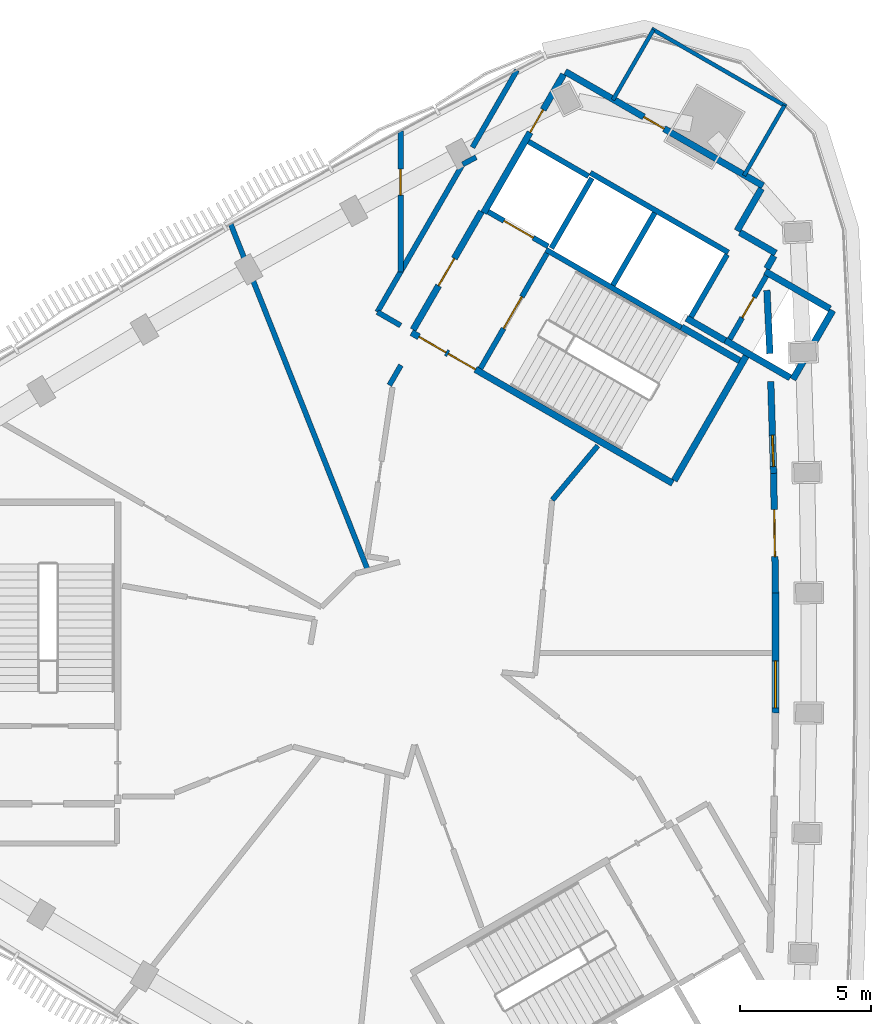
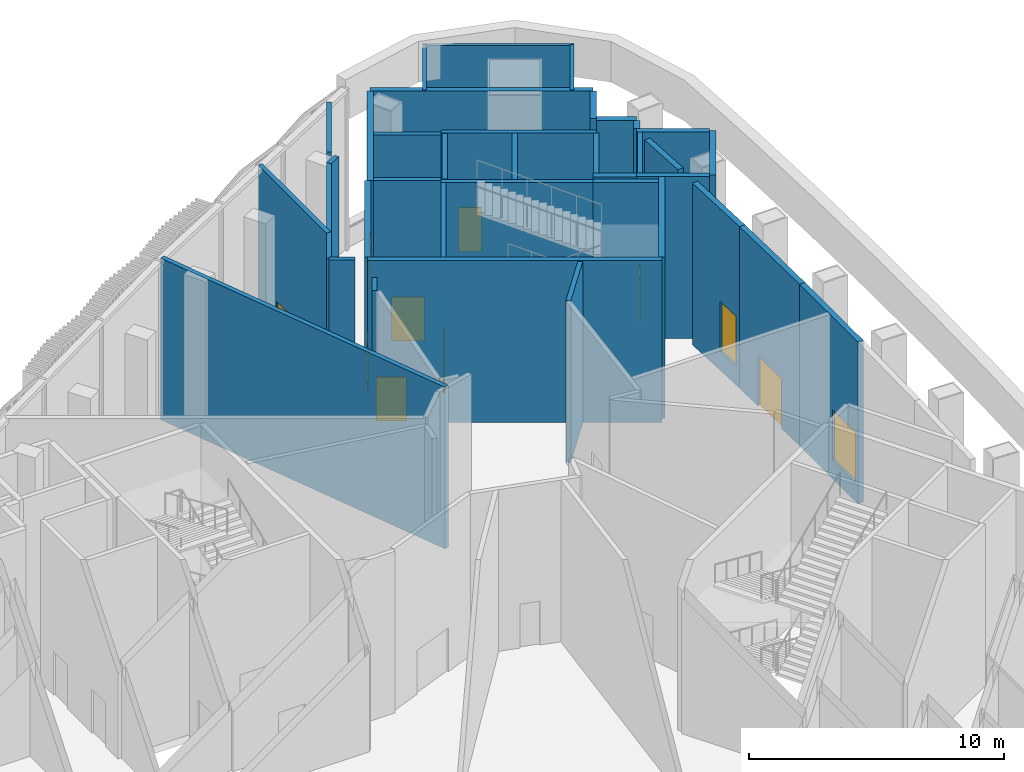
# One storey, part 5 of 11: 37 walls, 10 doors, 2 windows, 12 openings.
"""IFC4 building model written with IfcOpenShell, lengths in metres."""

import ifcopenshell
import ifcopenshell.guid

model = None  # the IFC model being written
_history = None  # IfcOwnerHistory: only IFC2X3 demands one
_inside = {}  # id of a spatial element -> (the spatial element, [elements in it])
_under = {}  # id of a project, library or spatial element -> (it, [spatial elements below it])
_declared = {}  # id of a project -> (the project, [libraries it declares])
_typed = {}  # id of a type object -> (the type object, [elements of that type])
_made_of = {}  # id of a material, layer set ... -> (it, [elements and type objects made of it])


def new_model(schema):
    """Start an empty IFC model of exactly this schema.

    Asked for "IFC4X3", IfcOpenShell would pick the latest addendum, in which some entities
    have other attributes; the version numbers below select the first issue.
    IFC2X3 requires an IfcOwnerHistory on every rooted entity: one is made here for all.
    """
    global model, _history
    if schema == "IFC4X3":
        model = ifcopenshell.file(schema_version=(4, 3, 0, 0))
    else:
        model = ifcopenshell.file(schema=schema)
    _inside.clear()
    _under.clear()
    _declared.clear()
    _typed.clear()
    _made_of.clear()
    _history = None
    if model.schema == "IFC2X3":
        org = make("IfcOrganization", Name="unknown")
        user = make(
            "IfcPersonAndOrganization",
            ThePerson=make("IfcPerson", FamilyName="unknown"),
            TheOrganization=org,
        )
        app = make(
            "IfcApplication",
            ApplicationDeveloper=org,
            Version="unknown",
            ApplicationFullName="unknown",
            ApplicationIdentifier="unknown",
        )
        _history = make(
            "IfcOwnerHistory",
            OwningUser=user,
            OwningApplication=app,
            ChangeAction="ADDED",
            CreationDate=0,
        )
    return model


def make(cls, **values):
    """One entity of the class cls with the attributes given. An attribute that is None is left unset."""
    return model.create_entity(
        cls, **{name: value for name, value in values.items() if value is not None}
    )


def rooted(cls, **values):
    """An entity with a GlobalId (a new one), such as an element, a storey or a relation."""
    return make(cls, GlobalId=ifcopenshell.guid.new(), OwnerHistory=_history, **values)


def si_unit(unit_type, name, prefix=None):
    """IfcSIUnit, for example si_unit("LENGTHUNIT", "METRE", prefix="MILLI")."""
    return make("IfcSIUnit", UnitType=unit_type, Prefix=prefix, Name=name)


def assignment(units):
    """IfcUnitAssignment: the units of a project."""
    return None if units is None else make("IfcUnitAssignment", Units=units)


def point(xyz):
    """IfcCartesianPoint."""
    return None if xyz is None else make("IfcCartesianPoint", Coordinates=xyz)


def direction(xyz):
    """IfcDirection."""
    return None if xyz is None else make("IfcDirection", DirectionRatios=xyz)


def frame(location, z_axis=None, x_axis=None):
    """IfcAxis2Placement3D, a coordinate frame: its origin and axes. An axis left out is left unset."""
    return make(
        "IfcAxis2Placement3D",
        Location=point(location),
        Axis=direction(z_axis),
        RefDirection=direction(x_axis),
    )


def frame_2d(location, x_axis=None):
    """IfcAxis2Placement2D, a coordinate frame in the plane: its origin and x axis."""
    return make(
        "IfcAxis2Placement2D", Location=point(location), RefDirection=direction(x_axis)
    )


def origin():
    """The frame at (0, 0, 0) with its axes left unset."""
    return frame((0.0, 0.0, 0.0))


def place(relative_to, where):
    """IfcLocalPlacement: puts the frame where relative to a parent placement (None: the world)."""
    return make(
        "IfcLocalPlacement", PlacementRelTo=relative_to, RelativePlacement=where
    )


def context(
    kind, dimensions, precision=None, world=None, true_north=None, identifier=None
):
    """IfcGeometricRepresentationContext, for example the 3D "Model" context."""
    return make(
        "IfcGeometricRepresentationContext",
        ContextIdentifier=identifier,
        ContextType=kind,
        CoordinateSpaceDimension=dimensions,
        Precision=precision,
        WorldCoordinateSystem=world,
        TrueNorth=true_north,
    )


def subcontext(parent, identifier, kind, view, scale=None):
    """IfcGeometricRepresentationSubContext, for example "Body" below "Model"."""
    return make(
        "IfcGeometricRepresentationSubContext",
        ContextIdentifier=identifier,
        ContextType=kind,
        ParentContext=parent,
        TargetScale=scale,
        TargetView=view,
    )


def project(units=None, contexts=None):
    """IfcProject with its units and contexts."""
    return rooted(
        "IfcProject",
        Name="project",
        RepresentationContexts=contexts,
        UnitsInContext=assignment(units),
    )


def spatial(cls, under=None, at=None, **own):
    """A site, building, storey or space (cls), placed at a placement, below another one or the project."""
    s = rooted(cls, ObjectPlacement=at, **own)
    if under is not None:
        _under.setdefault(under.id(), (under, []))[1].append(s)
    return s


def profile(cls, at=None, kind="AREA", **sizes):
    """A parametric profile (cls). Its sizes go by their IFC names, for example OverallWidth=200.0."""
    return make(cls, ProfileType=kind, Position=at, **sizes)


def rectangle(**sizes):
    """IfcRectangleProfileDef."""
    return profile("IfcRectangleProfileDef", **sizes)


def extrude(swept, where, along, depth):
    """IfcExtrudedAreaSolid: the profile swept, set in the frame where, extruded along a direction by depth."""
    return make(
        "IfcExtrudedAreaSolid",
        SweptArea=swept,
        Position=where,
        ExtrudedDirection=direction(along),
        Depth=depth,
    )


def shape(context_of_items, identifier, shape_type, items):
    """IfcShapeRepresentation: the items that make up one representation, for example the "Body"."""
    return make(
        "IfcShapeRepresentation",
        ContextOfItems=context_of_items,
        RepresentationIdentifier=identifier,
        RepresentationType=shape_type,
        Items=items,
    )


def material(Name=None, Category=None):
    """IfcMaterial."""
    return make("IfcMaterial", Name=Name, Category=Category)


def layer(
    of_material, thickness, ventilated=None, Name=None, Category=None, Priority=None
):
    """IfcMaterialLayer: one layer of a wall or slab, of a material (None: an air gap)."""
    return make(
        "IfcMaterialLayer",
        Material=of_material,
        LayerThickness=thickness,
        IsVentilated=ventilated,
        Name=Name,
        Category=Category,
        Priority=Priority,
    )


def layer_set(layers, Name=None):
    """IfcMaterialLayerSet."""
    return make("IfcMaterialLayerSet", MaterialLayers=layers, LayerSetName=Name)


def made_of(thing, what):
    """Note that an element or type object is made of a material, layer set ...; save() writes the relation."""
    if what is not None:
        _made_of.setdefault(what.id(), (what, []))[1].append(thing)
    return thing


def type_object(cls, material=None, **own):
    """A type object (cls), such as IfcWallType, which elements share."""
    return made_of(rooted(cls, **own), material)


def element(
    cls,
    number,
    at=None,
    inside=None,
    cuts=None,
    type_object=None,
    material=None,
    context=None,
    identifier="Body",
    shape_type=None,
    held_by="IfcProductDefinitionShape",
    body=None,
    shapes=None,
    **own,
):
    """One element of the class cls, such as IfcWall. Its Tag is "e" and its number.

    at: its placement. inside: the storey or other place that contains it. cuts: it is an
    opening in that element (IfcRelVoidsElement). A single representation is given by context,
    identifier, shape_type and body (its items); several are given by shapes. held_by: the class
    of the entity that holds the representations. save() writes the other relations.
    """
    e = rooted(cls, Tag="e%d" % number, ObjectPlacement=at, **own)
    if body is not None:
        shapes = [shape(context, identifier, shape_type, body)]
    if shapes is not None:
        e.Representation = make(held_by, Representations=shapes)
    if inside is not None:
        _inside.setdefault(inside.id(), (inside, []))[1].append(e)
    if cuts is not None:
        rooted(
            "IfcRelVoidsElement", RelatingBuildingElement=cuts, RelatedOpeningElement=e
        )
    if type_object is not None:
        _typed.setdefault(type_object.id(), (type_object, []))[1].append(e)
    return made_of(e, material)


def fill(opening, filler):
    """IfcRelFillsElement: the door or window that sits in an opening."""
    return rooted(
        "IfcRelFillsElement",
        RelatingOpeningElement=opening,
        RelatedBuildingElement=filler,
    )


def aggregate(whole, parts):
    """IfcRelAggregates: a whole, such as a stair, and the parts it consists of."""
    return rooted("IfcRelAggregates", RelatingObject=whole, RelatedObjects=parts)


def save(model, path):
    """Write the relations noted so far, then the file.

    IfcRelAggregates (storeys below a building ...), IfcRelContainedInSpatialStructure (elements
    in a storey), IfcRelDefinesByType, IfcRelAssociatesMaterial and IfcRelDeclares: one each for
    every whole, place, type object, material and project.
    """
    for whole, parts in _under.values():
        aggregate(whole, parts)
    for where, things in _inside.values():
        rooted(
            "IfcRelContainedInSpatialStructure",
            RelatedElements=things,
            RelatingStructure=where,
        )
    for kind, things in _typed.values():
        rooted("IfcRelDefinesByType", RelatedObjects=things, RelatingType=kind)
    for what, things in _made_of.values():
        rooted("IfcRelAssociatesMaterial", RelatedObjects=things, RelatingMaterial=what)
    for by, libraries in _declared.values():
        rooted("IfcRelDeclares", RelatingContext=by, RelatedDefinitions=libraries)
    model.write(path)


model = new_model("IFC4")

# Units and contexts
model_context = context("Model", 3, precision=1e-05, world=origin(), true_north=direction((0.0, 1.0)))
body_context = subcontext(model_context, "Body", "Model", "MODEL_VIEW")
ifc_project = project(units=[si_unit("LENGTHUNIT", "METRE"), si_unit("AREAUNIT", "SQUARE_METRE"), si_unit("VOLUMEUNIT", "CUBIC_METRE"), si_unit("PLANEANGLEUNIT", "RADIAN"), si_unit("MASSUNIT", "GRAM", prefix="KILO")], contexts=[model_context])

# Site, building, storey
site_placement = place(None, origin())
site = spatial("IfcSite", under=ifc_project, at=site_placement, CompositionType="ELEMENT")
building_placement = place(site_placement, origin())
building = spatial("IfcBuilding", under=site, at=building_placement, Name="Tamra Quay Hotel Tower", CompositionType="ELEMENT")
storey_placement = place(building_placement, frame((0.0, 0.0, 312.60009765625)))
storey = spatial("IfcBuildingStorey", under=building, at=storey_placement, Name="L78", CompositionType="ELEMENT", Elevation=312.60009765625)

# Walls
ifc_material_1 = material(Name="Concrete M70", Category="concrete")
ifc_layer_1 = layer(ifc_material_1, 0.199951171875)
ifc_layer_set_1 = layer_set([ifc_layer_1], Name="Concrete M70 core wall 200")
wall_type_1 = type_object("IfcWallType", Name="Concrete M70 core wall 200", PredefinedType="SHEAR", material=ifc_layer_set_1)
wall_1_placement = place(storey_placement, frame((12.552490234375, 15.341552734375, 0.0), z_axis=(0.0, 0.0, 1.0), x_axis=(-0.866030299012, 0.499991521122, 0.0)))
element("IfcWall", 1, at=wall_1_placement, inside=storey, type_object=wall_type_1, Name="CW2", PredefinedType="SHEAR", context=body_context, shape_type="SweptSolid", body=[
    extrude(rectangle(XDim=6.10009765625, YDim=0.199951171875, at=frame_2d((3.050048828125, 0.0))), origin(), (0.0, 0.0, 1.0), 7.75),
])
wall_2_placement = place(storey_placement, frame((10.7431640625, 12.4599609375, 0.0), z_axis=(0.0, 0.0, 1.0), x_axis=(-0.866018848283, 0.500011354289, 0.0)))
element("IfcWall", 2, at=wall_2_placement, inside=storey, type_object=wall_type_1, Name="CW2", PredefinedType="SHEAR", context=body_context, shape_type="SweptSolid", body=[
    extrude(rectangle(XDim=5.973876953125, YDim=0.199951171875, at=frame_2d((2.98681640625, 0.0))), origin(), (0.0, 0.0, 1.0), 7.75),
])

# Wall, opening, door
wall_3_placement = place(storey_placement, frame((3.056640625, 10.89453125, 0.0), z_axis=(0.0, 0.0, 1.0), x_axis=(0.500027839223, 0.866009330205, 0.0)))
wall_3 = element("IfcWall", 3, at=wall_3_placement, inside=storey, type_object=wall_type_1, Name="CW2", PredefinedType="SHEAR", context=body_context, shape_type="SweptSolid", body=[
    extrude(rectangle(XDim=5.097900390625, YDim=0.199951171875, at=frame_2d((2.548828125, 0.0))), origin(), (0.0, 0.0, 1.0), 7.75),
])
opening_1_placement = place(wall_3_placement, frame((1.77392578125, 0.0, 0.0)))
opening_1 = element("IfcOpeningElement", 4, at=opening_1_placement, cuts=wall_3, Name="Opening FD2", PredefinedType="OPENING", context=body_context, shape_type="SweptSolid", body=[
    extrude(rectangle(XDim=1.39990234375, YDim=2.10009765625, at=frame_2d((0.699951171875, 1.050048828125))), frame((0.0, 0.10986328125, 0.0), z_axis=(0.0, -1.0, 0.0), x_axis=(1.0, 0.0, 0.0)), (0.0, 0.0, 1.0), 0.219970703125),
])
ifc_material_2 = material(Name="Core door FD2 1400x2100 LH")
door_type_1 = type_object("IfcDoorType", Name="Core door FD2 1400x2100 LH", OperationType="NOTDEFINED", PredefinedType="DOOR", material=ifc_material_2)
door_1_placement = place(opening_1_placement, origin())
door_1 = element("IfcDoor", 5, at=door_1_placement, inside=storey, type_object=door_type_1, Name="FD2", OperationType="SINGLE_SWING_LEFT", OverallHeight=2.10009765625, OverallWidth=1.39990234375, PredefinedType="DOOR", context=body_context, shape_type="SweptSolid", body=[
    extrude(rectangle(XDim=1.39990234375, YDim=2.10009765625, at=frame_2d((0.699951171875, 1.050048828125))), frame((0.0, 0.02490234375, 0.0), z_axis=(0.0, -1.0, 0.0), x_axis=(1.0, 0.0, 0.0)), (0.0, 0.0, 1.0), 0.050048828125),
])
fill(opening_1, door_1)

# Wall
wall_4_placement = place(storey_placement, frame((8.131591796875, 14.08447265625, 0.0), z_axis=(0.0, 0.0, 1.0), x_axis=(0.500030834389, 0.86600760081, 0.0)))
element("IfcWall", 6, at=wall_4_placement, inside=storey, type_object=wall_type_1, Name="CW2", PredefinedType="SHEAR", context=body_context, shape_type="SweptSolid", body=[
    extrude(rectangle(XDim=3.197998046875, YDim=0.199951171875, at=frame_2d((1.59912109375, 0.0))), origin(), (0.0, 0.0, 1.0), 7.75),
])

# Wall, opening, door
wall_5_placement = place(storey_placement, frame((14.0078125, 14.442138671875, 0.0), z_axis=(0.0, 0.0, 1.0), x_axis=(-0.499986818241, -0.866033014143, 0.0)))
wall_5 = element("IfcWall", 7, at=wall_5_placement, inside=storey, type_object=wall_type_1, Name="CW2", PredefinedType="SHEAR", context=body_context, shape_type="SweptSolid", body=[
    extrude(rectangle(XDim=2.7978515625, YDim=0.199951171875, at=frame_2d((1.39892578125, 0.0))), origin(), (0.0, 0.0, 1.0), 7.75),
])
opening_2_placement = place(wall_5_placement, frame((0.948974609375, 0.0, 0.0)))
opening_2 = element("IfcOpeningElement", 8, at=opening_2_placement, cuts=wall_5, Name="Opening D1", PredefinedType="OPENING", context=body_context, shape_type="SweptSolid", body=[
    extrude(rectangle(XDim=0.89990234375, YDim=2.10009765625, at=frame_2d((0.449951171875, 1.050048828125))), frame((0.0, 0.10986328125, 0.0), z_axis=(0.0, -1.0, 0.0), x_axis=(1.0, 0.0, 0.0)), (0.0, 0.0, 1.0), 0.219970703125),
])
ifc_material_3 = material(Name="Core door D1 900x2100 RH")
door_type_2 = type_object("IfcDoorType", Name="Core door D1 900x2100 RH", OperationType="NOTDEFINED", PredefinedType="DOOR", material=ifc_material_3)
door_2_placement = place(opening_2_placement, origin())
door_2 = element("IfcDoor", 9, at=door_2_placement, inside=storey, type_object=door_type_2, Name="D1", OperationType="SINGLE_SWING_RIGHT", OverallHeight=2.10009765625, OverallWidth=0.89990234375, PredefinedType="DOOR", context=body_context, shape_type="SweptSolid", body=[
    extrude(rectangle(XDim=0.89990234375, YDim=2.10009765625, at=frame_2d((0.449951171875, 1.050048828125))), frame((0.0, 0.02490234375, 0.0), z_axis=(0.0, -1.0, 0.0), x_axis=(1.0, 0.0, 0.0)), (0.0, 0.0, 1.0), 0.050048828125),
])
fill(opening_2, door_2)

# Walls
wall_6_placement = place(storey_placement, frame((12.50244140625, 15.2548828125, 0.0), z_axis=(0.0, 0.0, 1.0), x_axis=(-0.499965018551, -0.866045599391, 0.0)))
element("IfcWall", 10, at=wall_6_placement, inside=storey, type_object=wall_type_1, Name="CW2", PredefinedType="SHEAR", context=body_context, shape_type="SweptSolid", body=[
    extrude(rectangle(XDim=2.759033203125, YDim=0.199951171875, at=frame_2d((1.37939453125, 0.0))), origin(), (0.0, 0.0, 1.0), 7.75),
])
wall_7_placement = place(storey_placement, frame((7.324462890625, 18.1865234375, 0.0), z_axis=(0.0, 0.0, 1.0), x_axis=(-0.499967891604, -0.866043940782, 0.0)))
element("IfcWall", 11, at=wall_7_placement, inside=storey, type_object=wall_type_1, Name="CW2", PredefinedType="SHEAR", context=body_context, shape_type="SweptSolid", body=[
    extrude(rectangle(XDim=3.099853515625, YDim=0.199951171875, at=frame_2d((1.5498046875, 0.0))), origin(), (0.0, 0.0, 1.0), 7.75),
])

# Wall, opening, door
wall_8_placement = place(storey_placement, frame((5.646240234375, 15.575927734375, 0.0), z_axis=(0.0, 0.0, 1.0), x_axis=(-0.866018407898, 0.500012117035, 0.0)))
wall_8 = element("IfcWall", 12, at=wall_8_placement, inside=storey, type_object=wall_type_1, Name="CW2", PredefinedType="SHEAR", context=body_context, shape_type="SweptSolid", body=[
    extrude(rectangle(XDim=2.65087890625, YDim=0.199951171875, at=frame_2d((1.325439453125, 0.0))), origin(), (0.0, 0.0, 1.0), 7.75),
])
opening_3_placement = place(wall_8_placement, frame((0.65185546875, 0.0, 0.0)))
opening_3 = element("IfcOpeningElement", 13, at=opening_3_placement, cuts=wall_8, Name="Opening LD", PredefinedType="OPENING", context=body_context, shape_type="SweptSolid", body=[
    extrude(rectangle(XDim=1.300048828125, YDim=2.10009765625, at=frame_2d((0.64990234375, 1.050048828125))), frame((0.0, 0.10986328125, 0.0), z_axis=(0.0, -1.0, 0.0), x_axis=(1.0, 0.0, 0.0)), (0.0, 0.0, 1.0), 0.219970703125),
])
ifc_material_4 = material(Name="Landing door LD 1300 sliding to right")
door_type_3 = type_object("IfcDoorType", Name="Landing door LD 1300 sliding to right", OperationType="NOTDEFINED", PredefinedType="DOOR", material=ifc_material_4)
door_3_placement = place(opening_3_placement, origin())
door_3 = element("IfcDoor", 14, at=door_3_placement, inside=storey, type_object=door_type_3, Name="LD", OperationType="SLIDING_TO_RIGHT", OverallHeight=2.10009765625, OverallWidth=1.300048828125, PredefinedType="DOOR", context=body_context, shape_type="SweptSolid", body=[
    extrude(rectangle(XDim=1.300048828125, YDim=2.10009765625, at=frame_2d((0.64990234375, 1.050048828125))), frame((0.0, 0.02490234375, 0.0), z_axis=(0.0, -1.0, 0.0), x_axis=(1.0, 0.0, 0.0)), (0.0, 0.0, 1.0), 0.050048828125),
])
fill(opening_3, door_3)

# Wall
wall_9_placement = place(storey_placement, frame((7.1962890625, 18.260498046875, 0.0), z_axis=(0.0, 0.0, 1.0), x_axis=(-0.866018407898, 0.500012117035, 0.0)))
element("IfcWall", 15, at=wall_9_placement, inside=storey, type_object=wall_type_1, Name="CW2", PredefinedType="SHEAR", context=body_context, shape_type="SweptSolid", body=[
    extrude(rectangle(XDim=2.65087890625, YDim=0.199951171875, at=frame_2d((1.325439453125, 0.0))), origin(), (0.0, 0.0, 1.0), 7.75),
])

# Wall, openings, doors
ifc_layer_2 = layer(ifc_material_1, 0.25)
ifc_layer_set_2 = layer_set([ifc_layer_2], Name="Concrete M70 core wall 250")
wall_type_2 = type_object("IfcWallType", Name="Concrete M70 core wall 250", PredefinedType="SHEAR", material=ifc_layer_set_2)
wall_10_placement = place(storey_placement, frame((10.419921875, 6.497802734375, 0.0), z_axis=(0.0, 0.0, 1.0), x_axis=(-0.866021906294, 0.500006057782, 0.0)))
wall_10 = element("IfcWall", 16, at=wall_10_placement, inside=storey, type_object=wall_type_2, Name="CW1", PredefinedType="SHEAR", context=body_context, shape_type="SweptSolid", body=[
    extrude(rectangle(XDim=11.550048828125, YDim=0.25, at=frame_2d((5.77490234375, 0.0))), origin(), (0.0, 0.0, 1.0), 7.75),
])
opening_4_placement = place(wall_10_placement, frame((10.02490234375, 0.0, 0.0)))
opening_4 = element("IfcOpeningElement", 17, at=opening_4_placement, cuts=wall_10, Name="Opening FD1", PredefinedType="OPENING", context=body_context, shape_type="SweptSolid", body=[
    extrude(rectangle(XDim=1.199951171875, YDim=2.10009765625, at=frame_2d((0.60009765625, 1.050048828125))), frame((0.0, 0.135009765625, 0.0), z_axis=(0.0, -1.0, 0.0), x_axis=(1.0, 0.0, 0.0)), (0.0, 0.0, 1.0), 0.27001953125),
])
opening_5_placement = place(wall_10_placement, frame((8.724853515625, 0.0, 0.0)))
opening_5 = element("IfcOpeningElement", 18, at=opening_5_placement, cuts=wall_10, Name="Opening FD1", PredefinedType="OPENING", context=body_context, shape_type="SweptSolid", body=[
    extrude(rectangle(XDim=1.199951171875, YDim=2.10009765625, at=frame_2d((0.60009765625, 1.050048828125))), frame((0.0, 0.135009765625, 0.0), z_axis=(0.0, -1.0, 0.0), x_axis=(1.0, 0.0, 0.0)), (0.0, 0.0, 1.0), 0.27001953125),
])
ifc_material_5 = material(Name="Core door FD1 1200x2100 LH")
door_type_4 = type_object("IfcDoorType", Name="Core door FD1 1200x2100 LH", OperationType="NOTDEFINED", PredefinedType="DOOR", material=ifc_material_5)
door_4_placement = place(opening_4_placement, origin())
door_4 = element("IfcDoor", 19, at=door_4_placement, inside=storey, type_object=door_type_4, Name="FD1", OperationType="SINGLE_SWING_LEFT", OverallHeight=2.10009765625, OverallWidth=1.199951171875, PredefinedType="DOOR", context=body_context, shape_type="SweptSolid", body=[
    extrude(rectangle(XDim=1.199951171875, YDim=2.10009765625, at=frame_2d((0.60009765625, 1.050048828125))), frame((0.0, 0.02490234375, 0.0), z_axis=(0.0, -1.0, 0.0), x_axis=(1.0, 0.0, 0.0)), (0.0, 0.0, 1.0), 0.050048828125),
])
fill(opening_4, door_4)
ifc_material_6 = material(Name="Core door FD1 1200x2100 RH")
door_type_5 = type_object("IfcDoorType", Name="Core door FD1 1200x2100 RH", OperationType="NOTDEFINED", PredefinedType="DOOR", material=ifc_material_6)
door_5_placement = place(opening_5_placement, origin())
door_5 = element("IfcDoor", 20, at=door_5_placement, inside=storey, type_object=door_type_5, Name="FD1", OperationType="SINGLE_SWING_RIGHT", OverallHeight=2.10009765625, OverallWidth=1.199951171875, PredefinedType="DOOR", context=body_context, shape_type="SweptSolid", body=[
    extrude(rectangle(XDim=1.199951171875, YDim=2.10009765625, at=frame_2d((0.60009765625, 1.050048828125))), frame((0.0, 0.02490234375, 0.0), z_axis=(0.0, -1.0, 0.0), x_axis=(1.0, 0.0, 0.0)), (0.0, 0.0, 1.0), 0.050048828125),
])
fill(opening_5, door_5)

# Wall, opening, door
wall_11_placement = place(storey_placement, frame((6.303955078125, 22.268798828125, 0.0), z_axis=(0.0, 0.0, 1.0), x_axis=(0.866022959057, -0.500004234368, 0.0)))
wall_11 = element("IfcWall", 21, at=wall_11_placement, inside=storey, type_object=wall_type_2, Name="CW1", PredefinedType="SHEAR", context=body_context, shape_type="SweptSolid", body=[
    extrude(rectangle(XDim=8.75, YDim=0.25, at=frame_2d((4.375, 0.0))), origin(), (0.0, 0.0, 1.0), 7.75),
])
opening_6_placement = place(wall_11_placement, frame((3.47509765625, 0.0, 0.0)))
opening_6 = element("IfcOpeningElement", 22, at=opening_6_placement, cuts=wall_11, Name="Opening D2", PredefinedType="OPENING", context=body_context, shape_type="SweptSolid", body=[
    extrude(rectangle(XDim=0.89990234375, YDim=2.10009765625, at=frame_2d((0.449951171875, 1.050048828125))), frame((0.0, 0.135009765625, 0.0), z_axis=(0.0, -1.0, 0.0), x_axis=(1.0, 0.0, 0.0)), (0.0, 0.0, 1.0), 0.27001953125),
])
ifc_material_7 = material(Name="Core door D2 900x2100 LH")
door_type_6 = type_object("IfcDoorType", Name="Core door D2 900x2100 LH", OperationType="NOTDEFINED", PredefinedType="DOOR", material=ifc_material_7)
door_6_placement = place(opening_6_placement, origin())
door_6 = element("IfcDoor", 23, at=door_6_placement, inside=storey, type_object=door_type_6, Name="D2", OperationType="SINGLE_SWING_LEFT", OverallHeight=2.10009765625, OverallWidth=0.89990234375, PredefinedType="DOOR", context=body_context, shape_type="SweptSolid", body=[
    extrude(rectangle(XDim=0.89990234375, YDim=2.10009765625, at=frame_2d((0.449951171875, 1.050048828125))), frame((0.0, 0.02490234375, 0.0), z_axis=(0.0, -1.0, 0.0), x_axis=(1.0, 0.0, 0.0)), (0.0, 0.0, 1.0), 0.050048828125),
])
fill(opening_6, door_6)

wall_12_placement = place(storey_placement, frame((3.178955078125, 16.856201171875, 0.0), z_axis=(0.0, 0.0, 1.0), x_axis=(0.500001955336, 0.866024274868, 0.0)))
wall_12 = element("IfcWall", 24, at=wall_12_placement, inside=storey, type_object=wall_type_2, Name="CW1", PredefinedType="SHEAR", context=body_context, shape_type="SweptSolid", body=[
    extrude(rectangle(XDim=6.12451171875, YDim=0.25, at=frame_2d((3.062255859375, 0.0))), origin(), (0.0, 0.0, 1.0), 7.75),
])
opening_7_placement = place(wall_12_placement, frame((3.562744140625, 0.0, 0.0)))
opening_7 = element("IfcOpeningElement", 25, at=opening_7_placement, cuts=wall_12, Name="Opening FD3", PredefinedType="OPENING", context=body_context, shape_type="SweptSolid", body=[
    extrude(rectangle(XDim=1.0, YDim=2.10009765625, at=frame_2d((0.5, 1.050048828125))), frame((0.0, 0.135009765625, 0.0), z_axis=(0.0, -1.0, 0.0), x_axis=(1.0, 0.0, 0.0)), (0.0, 0.0, 1.0), 0.27001953125),
])
ifc_material_8 = material(Name="Core door FD3 1000x2100 LH")
door_type_7 = type_object("IfcDoorType", Name="Core door FD3 1000x2100 LH", OperationType="NOTDEFINED", PredefinedType="DOOR", material=ifc_material_8)
door_7_placement = place(opening_7_placement, origin())
door_7 = element("IfcDoor", 26, at=door_7_placement, inside=storey, type_object=door_type_7, Name="FD3", OperationType="SINGLE_SWING_LEFT", OverallHeight=2.10009765625, OverallWidth=1.0, PredefinedType="DOOR", context=body_context, shape_type="SweptSolid", body=[
    extrude(rectangle(XDim=1.0, YDim=2.10009765625, at=frame_2d((0.5, 1.050048828125))), frame((0.0, 0.02490234375, 0.0), z_axis=(0.0, -1.0, 0.0), x_axis=(1.0, 0.0, 0.0)), (0.0, 0.0, 1.0), 0.050048828125),
])
fill(opening_7, door_7)

wall_13_placement = place(storey_placement, frame((0.47998046875, 12.38134765625, 0.0), z_axis=(0.0, 0.0, 1.0), x_axis=(0.49999885962, 0.866026062182, 0.0)))
wall_13 = element("IfcWall", 27, at=wall_13_placement, inside=storey, type_object=wall_type_2, Name="CW1", PredefinedType="SHEAR", context=body_context, shape_type="SweptSolid", body=[
    extrude(rectangle(XDim=5.224609375, YDim=0.25, at=frame_2d((2.6123046875, 0.0))), origin(), (0.0, 0.0, 1.0), 7.75),
])
opening_8_placement = place(wall_13_placement, frame((1.949462890625, 0.0, 0.0)))
opening_8 = element("IfcOpeningElement", 28, at=opening_8_placement, cuts=wall_13, Name="Opening FD1", PredefinedType="OPENING", context=body_context, shape_type="SweptSolid", body=[
    extrude(rectangle(XDim=1.199951171875, YDim=2.10009765625, at=frame_2d((0.60009765625, 1.050048828125))), frame((0.0, 0.135009765625, 0.0), z_axis=(0.0, -1.0, 0.0), x_axis=(1.0, 0.0, 0.0)), (0.0, 0.0, 1.0), 0.27001953125),
])
door_8_placement = place(opening_8_placement, origin())
door_8 = element("IfcDoor", 29, at=door_8_placement, inside=storey, type_object=door_type_4, Name="FD1", OperationType="SINGLE_SWING_LEFT", OverallHeight=2.10009765625, OverallWidth=1.199951171875, PredefinedType="DOOR", context=body_context, shape_type="SweptSolid", body=[
    extrude(rectangle(XDim=1.199951171875, YDim=2.10009765625, at=frame_2d((0.60009765625, 1.050048828125))), frame((0.0, 0.02490234375, 0.0), z_axis=(0.0, -1.0, 0.0), x_axis=(1.0, 0.0, 0.0)), (0.0, 0.0, 1.0), 0.050048828125),
])
fill(opening_8, door_8)

# Walls
wall_14_placement = place(storey_placement, frame((13.237548828125, 11.3779296875, 0.0), z_axis=(0.0, 0.0, 1.0), x_axis=(-0.500008851346, -0.866020293397, 0.0)))
element("IfcWall", 30, at=wall_14_placement, inside=storey, type_object=wall_type_2, Name="CW1", PredefinedType="SHEAR", context=body_context, shape_type="SweptSolid", body=[
    extrude(rectangle(XDim=5.509765625, YDim=0.25, at=frame_2d((2.7548828125, 0.0))), origin(), (0.0, 0.0, 1.0), 7.75),
])
wall_15_placement = place(storey_placement, frame((16.552001953125, 13.118896484375, 0.0), z_axis=(0.0, 0.0, 1.0), x_axis=(-0.499978833458, -0.866037623948, 0.0)))
element("IfcWall", 31, at=wall_15_placement, inside=storey, type_object=wall_type_2, Name="CW1", PredefinedType="SHEAR", context=body_context, shape_type="SweptSolid", body=[
    extrude(rectangle(XDim=3.050048828125, YDim=0.25, at=frame_2d((1.52490234375, 0.0))), origin(), (0.0, 0.0, 1.0), 7.75),
])
wall_16_placement = place(storey_placement, frame((14.91845703125, 10.540283203125, 0.0), z_axis=(0.0, 0.0, 1.0), x_axis=(-0.866063538972, 0.499933942099, 0.0)))
element("IfcWall", 32, at=wall_16_placement, inside=storey, type_object=wall_type_2, Name="CW1", PredefinedType="SHEAR", context=body_context, shape_type="SweptSolid", body=[
    extrude(rectangle(XDim=2.86474609375, YDim=0.25, at=frame_2d((1.432373046875, 0.0))), origin(), (0.0, 0.0, 1.0), 7.75),
])
wall_17_placement = place(storey_placement, frame((13.962646484375, 14.61376953125, 0.0), z_axis=(0.0, 0.0, 1.0), x_axis=(0.866042235819, -0.499970844928, 0.0)))
element("IfcWall", 33, at=wall_17_placement, inside=storey, type_object=wall_type_2, Name="CW1", PredefinedType="SHEAR", context=body_context, shape_type="SweptSolid", body=[
    extrude(rectangle(XDim=2.864501953125, YDim=0.25, at=frame_2d((1.43212890625, 0.0))), origin(), (0.0, 0.0, 1.0), 7.75),
])
wall_18_placement = place(storey_placement, frame((10.756591796875, 12.481201171875, 0.0), z_axis=(0.0, 0.0, 1.0), x_axis=(0.866022940537, -0.500004266446, 0.0)))
element("IfcWall", 34, at=wall_18_placement, inside=storey, type_object=wall_type_2, Name="CW1", PredefinedType="SHEAR", context=body_context, shape_type="SweptSolid", body=[
    extrude(rectangle(XDim=2.57470703125, YDim=0.25, at=frame_2d((1.287353515625, 0.0))), origin(), (0.0, 0.0, 1.0), 7.75),
])
wall_19_placement = place(storey_placement, frame((13.819091796875, 17.78515625, 0.0), z_axis=(0.0, 0.0, 1.0), x_axis=(-0.500039802285, -0.866002422705, 0.0)))
element("IfcWall", 35, at=wall_19_placement, inside=storey, type_object=wall_type_2, Name="CW1", PredefinedType="SHEAR", context=body_context, shape_type="SweptSolid", body=[
    extrude(rectangle(XDim=1.864501953125, YDim=0.25, at=frame_2d((0.93212890625, 0.0))), origin(), (0.0, 0.0, 1.0), 7.75),
])
wall_20_placement = place(storey_placement, frame((12.4326171875, 11.9638671875, 0.0), z_axis=(0.0, 0.0, 1.0), x_axis=(-0.866038183914, 0.499977863513, 0.0)))
element("IfcWall", 36, at=wall_20_placement, inside=storey, type_object=wall_type_2, Name="CW1", PredefinedType="SHEAR", context=body_context, shape_type="SweptSolid", body=[
    extrude(rectangle(XDim=1.7099609375, YDim=0.25, at=frame_2d((0.85498046875, 0.0))), origin(), (0.0, 0.0, 1.0), 7.75),
])
wall_21_placement = place(storey_placement, frame((12.995361328125, 16.107666015625, 0.0), z_axis=(0.0, 0.0, 1.0), x_axis=(0.866044474677, -0.49996696679, 0.0)))
element("IfcWall", 37, at=wall_21_placement, inside=storey, type_object=wall_type_2, Name="CW1", PredefinedType="SHEAR", context=body_context, shape_type="SweptSolid", body=[
    extrude(rectangle(XDim=1.58447265625, YDim=0.25, at=frame_2d((0.792236328125, 0.0))), origin(), (0.0, 0.0, 1.0), 7.75),
])
wall_22_placement = place(storey_placement, frame((14.304931640625, 15.206787109375, 0.0), z_axis=(0.0, 0.0, 1.0), x_axis=(-0.499848422343, -0.866112899501, 0.0)))
element("IfcWall", 38, at=wall_22_placement, inside=storey, type_object=wall_type_2, Name="CW1", PredefinedType="SHEAR", context=body_context, shape_type="SweptSolid", body=[
    extrude(rectangle(XDim=0.559326171875, YDim=0.25, at=frame_2d((0.27978515625, 0.0))), origin(), (0.0, 0.0, 1.0), 7.75),
])
ifc_material_9 = material(Name="Blockwork", Category="masonry")
ifc_layer_3 = layer(ifc_material_9, 0.14990234375)
ifc_layer_set_3 = layer_set([ifc_layer_3], Name="Core partition block 150")
wall_type_3 = type_object("IfcWallType", Name="Core partition block 150", PredefinedType="PARTITIONING", material=ifc_layer_set_3)
wall_23_placement = place(storey_placement, frame((8.1318359375, 21.1845703125, 0.0), z_axis=(0.0, 0.0, 1.0), x_axis=(0.49999285859, 0.86602952684, 0.0)))
element("IfcWall", 39, at=wall_23_placement, inside=storey, type_object=wall_type_3, Name="CP1", PredefinedType="PARTITIONING", context=body_context, shape_type="SweptSolid", body=[
    extrude(rectangle(XDim=3.10009765625, YDim=0.14990234375, at=frame_2d((1.550048828125, 0.0))), origin(), (0.0, 0.0, 1.0), 7.75),
])
wall_24_placement = place(storey_placement, frame((9.61669921875, 23.90673828125, 0.0), z_axis=(0.0, 0.0, 1.0), x_axis=(0.866045517703, -0.499965160052, 0.0)))
element("IfcWall", 40, at=wall_24_placement, inside=storey, type_object=wall_type_3, Name="CP1", PredefinedType="PARTITIONING", context=body_context, shape_type="SweptSolid", body=[
    extrude(rectangle(XDim=5.9501953125, YDim=0.14990234375, at=frame_2d((2.97509765625, 0.0))), origin(), (0.0, 0.0, 1.0), 7.75),
])
wall_25_placement = place(storey_placement, frame((14.70458984375, 20.96923828125, 0.0), z_axis=(0.0, 0.0, 1.0), x_axis=(-0.499967891604, -0.866043940782, 0.0)))
element("IfcWall", 41, at=wall_25_placement, inside=storey, type_object=wall_type_3, Name="CP1", PredefinedType="PARTITIONING", context=body_context, shape_type="SweptSolid", body=[
    extrude(rectangle(XDim=3.099853515625, YDim=0.14990234375, at=frame_2d((1.5498046875, 0.0))), origin(), (0.0, 0.0, 1.0), 7.75),
])

# Wall, opening, window
ifc_material_10 = material(Name="Blockwork masonry plastered", Category="masonry")
ifc_layer_4 = layer(ifc_material_10, 0.25)
ifc_layer_set_4 = layer_set([ifc_layer_4], Name="EXTERNAL WALL 250")
wall_type_4 = type_object("IfcWallType", Name="EXTERNAL WALL 250", PredefinedType="SOLIDWALL", material=ifc_layer_set_4)
wall_26_placement = place(storey_placement, frame((14.359130859375, 2.294677734375, 0.0), z_axis=(0.0, 0.0, 1.0), x_axis=(0.0, -1.0, 0.0)))
wall_26 = element("IfcWall", 42, at=wall_26_placement, inside=storey, type_object=wall_type_4, Name="EW1", PredefinedType="SOLIDWALL", context=body_context, shape_type="SweptSolid", body=[
    extrude(rectangle(XDim=4.58935546875, YDim=0.25, at=frame_2d((2.294677734375, 0.0))), origin(), (0.0, 0.0, 1.0), 7.75),
])
opening_9_placement = place(wall_26_placement, frame((2.594970703125, 0.0, 0.89990234375)))
opening_9 = element("IfcOpeningElement", 43, at=opening_9_placement, cuts=wall_26, Name="Opening LW18", PredefinedType="OPENING", context=body_context, shape_type="SweptSolid", body=[
    extrude(rectangle(XDim=1.800048828125, YDim=2.39990234375, at=frame_2d((0.89990234375, 1.199951171875))), frame((0.0, 0.135009765625, 0.0), z_axis=(0.0, -1.0, 0.0), x_axis=(1.0, 0.0, 0.0)), (0.0, 0.0, 1.0), 0.27001953125),
])
ifc_material_11 = material(Name="Aluminium window with clear glass", Category="aluminium")
window_type_1 = type_object("IfcWindowType", Name="LOUNGE WINDOW 1800X2400", PartitioningType="SINGLE_PANEL", PredefinedType="WINDOW", material=ifc_material_11)
window_1_placement = place(opening_9_placement, origin())
window_1 = element("IfcWindow", 44, at=window_1_placement, inside=storey, type_object=window_type_1, Name="LW18", OverallHeight=2.39990234375, OverallWidth=1.800048828125, PartitioningType="SINGLE_PANEL", PredefinedType="WINDOW", context=body_context, shape_type="SweptSolid", body=[
    extrude(rectangle(XDim=1.800048828125, YDim=2.39990234375, at=frame_2d((0.89990234375, 1.199951171875))), frame((0.0, 0.030029296875, 0.0), z_axis=(0.0, -1.0, 0.0), x_axis=(1.0, 0.0, 0.0)), (0.0, 0.0, 1.0), 0.06005859375),
])
fill(opening_9, window_1)

# Wall, opening, door
wall_27_placement = place(storey_placement, frame((14.287353515625, 6.881591796875, 0.0), z_axis=(0.0, 0.0, 1.0), x_axis=(0.015639712785, -0.999877692212, 0.0)))
wall_27 = element("IfcWall", 45, at=wall_27_placement, inside=storey, type_object=wall_type_4, Name="EW1", PredefinedType="SOLIDWALL", context=body_context, shape_type="SweptSolid", body=[
    extrude(rectangle(XDim=4.58935546875, YDim=0.25, at=frame_2d((2.294677734375, 0.0))), origin(), (0.0, 0.0, 1.0), 7.75),
])
opening_10_placement = place(wall_27_placement, frame((1.39501953125, 0.0, 0.0)))
opening_10 = element("IfcOpeningElement", 46, at=opening_10_placement, cuts=wall_27, Name="Opening DD1", PredefinedType="OPENING", context=body_context, shape_type="SweptSolid", body=[
    extrude(rectangle(XDim=1.800048828125, YDim=2.39990234375, at=frame_2d((0.89990234375, 1.199951171875))), frame((0.0, 0.135009765625, 0.0), z_axis=(0.0, -1.0, 0.0), x_axis=(1.0, 0.0, 0.0)), (0.0, 0.0, 1.0), 0.27001953125),
])
ifc_material_12 = material(Name="Aluminium door set dark grey", Category="aluminium")
door_type_8 = type_object("IfcDoorType", Name="DECK DOOR PAIR 1800X2400", OperationType="DOUBLE_DOOR_DOUBLE_SWING", PredefinedType="DOOR", material=ifc_material_12)
door_9_placement = place(opening_10_placement, origin())
door_9 = element("IfcDoor", 47, at=door_9_placement, inside=storey, type_object=door_type_8, Name="DD1", OperationType="DOUBLE_DOOR_DOUBLE_SWING", OverallHeight=2.39990234375, OverallWidth=1.800048828125, PredefinedType="DOOR", context=body_context, shape_type="SweptSolid", body=[
    extrude(rectangle(XDim=1.800048828125, YDim=2.39990234375, at=frame_2d((0.89990234375, 1.199951171875))), frame((0.0, 0.02490234375, 0.0), z_axis=(0.0, -1.0, 0.0), x_axis=(1.0, 0.0, 0.0)), (0.0, 0.0, 1.0), 0.050048828125),
])
fill(opening_10, door_9)

# Wall, opening, window
wall_28_placement = place(storey_placement, frame((14.17724609375, 10.4013671875, 0.0), z_axis=(0.0, 0.0, 1.0), x_axis=(0.031249894825, -0.999511602771, 0.0)))
wall_28 = element("IfcWall", 48, at=wall_28_placement, inside=storey, type_object=wall_type_4, Name="EW1", PredefinedType="SOLIDWALL", context=body_context, shape_type="SweptSolid", body=[
    extrude(rectangle(XDim=3.5234375, YDim=0.25, at=frame_2d((1.76171875, 0.0))), origin(), (0.0, 0.0, 1.0), 7.75),
])
opening_11_placement = place(wall_28_placement, frame((2.06201171875, 0.0, 0.89990234375)))
opening_11 = element("IfcOpeningElement", 49, at=opening_11_placement, cuts=wall_28, Name="Opening LW12", PredefinedType="OPENING", context=body_context, shape_type="SweptSolid", body=[
    extrude(rectangle(XDim=1.199951171875, YDim=2.39990234375, at=frame_2d((0.60009765625, 1.199951171875))), frame((0.0, 0.135009765625, 0.0), z_axis=(0.0, -1.0, 0.0), x_axis=(1.0, 0.0, 0.0)), (0.0, 0.0, 1.0), 0.27001953125),
])
window_type_2 = type_object("IfcWindowType", Name="LOUNGE WINDOW 1200X2400", PartitioningType="SINGLE_PANEL", PredefinedType="WINDOW", material=ifc_material_11)
window_2_placement = place(opening_11_placement, origin())
window_2 = element("IfcWindow", 50, at=window_2_placement, inside=storey, type_object=window_type_2, Name="LW12", OverallHeight=2.39990234375, OverallWidth=1.199951171875, PartitioningType="SINGLE_PANEL", PredefinedType="WINDOW", context=body_context, shape_type="SweptSolid", body=[
    extrude(rectangle(XDim=1.199951171875, YDim=2.39990234375, at=frame_2d((0.60009765625, 1.199951171875))), frame((0.0, 0.030029296875, 0.0), z_axis=(0.0, -1.0, 0.0), x_axis=(1.0, 0.0, 0.0)), (0.0, 0.0, 1.0), 0.06005859375),
])
fill(opening_11, window_2)

# Walls
wall_29_placement = place(storey_placement, frame((14.0302734375, 13.891357421875, 0.0), z_axis=(0.0, 0.0, 1.0), x_axis=(0.046815754834, -0.998903541439, 0.0)))
element("IfcWall", 51, at=wall_29_placement, inside=storey, type_object=wall_type_4, Name="EW1", PredefinedType="SOLIDWALL", context=body_context, shape_type="SweptSolid", body=[
    extrude(rectangle(XDim=2.43017578125, YDim=0.25, at=frame_2d((1.215087890625, 0.0))), origin(), (0.0, 0.0, 1.0), 7.75),
])
ifc_material_13 = material(Name="Partition corridor wall")
ifc_layer_5 = layer(ifc_material_13, 0.199951171875)
ifc_layer_set_5 = layer_set([ifc_layer_5], Name="Partition corridor wall")
wall_type_5 = type_object("IfcWallType", Name="Partition corridor wall", PredefinedType="PARTITIONING", material=ifc_layer_set_5)
wall_30_placement = place(storey_placement, frame((-0.891357421875, 13.05712890625, 0.0), z_axis=(0.0, 0.0, 1.0), x_axis=(0.500039268703, 0.866002730801, 0.0)))
element("IfcWall", 52, at=wall_30_placement, inside=storey, type_object=wall_type_5, Name="W-C", PredefinedType="PARTITIONING", context=body_context, shape_type="SweptSolid", body=[
    extrude(rectangle(XDim=6.537109375, YDim=0.199951171875, at=frame_2d((3.2685546875, 0.0))), origin(), (0.0, 0.0, 1.0), 7.75),
])
wall_31_placement = place(storey_placement, frame((-0.89111328125, 13.056884765625, 0.0), z_axis=(0.0, 0.0, 1.0), x_axis=(0.866027366358, -0.499996600708, 0.0)))
element("IfcWall", 53, at=wall_31_placement, inside=storey, type_object=wall_type_5, Name="W-C", PredefinedType="PARTITIONING", context=body_context, shape_type="SweptSolid", body=[
    extrude(rectangle(XDim=1.02783203125, YDim=0.199951171875, at=frame_2d((0.513916015625, 0.0))), origin(), (0.0, 0.0, 1.0), 7.75),
])
wall_32_placement = place(storey_placement, frame((2.3779296875, 18.718017578125, 0.0), z_axis=(0.0, 0.0, 1.0), x_axis=(0.884644712556, 0.466265731689, 0.0)))
element("IfcWall", 54, at=wall_32_placement, inside=storey, type_object=wall_type_5, Name="W-C", PredefinedType="PARTITIONING", context=body_context, shape_type="SweptSolid", body=[
    extrude(rectangle(XDim=0.581298828125, YDim=0.199951171875, at=frame_2d((0.29052734375, 0.0))), origin(), (0.0, 0.0, 1.0), 7.75),
])
wall_33_placement = place(storey_placement, frame((2.7509765625, 19.364990234375, 0.0), z_axis=(0.0, 0.0, 1.0), x_axis=(0.50003588027, 0.86600468731, 0.0)))
element("IfcWall", 55, at=wall_33_placement, inside=storey, type_object=wall_type_5, Name="W-C", PredefinedType="PARTITIONING", context=body_context, shape_type="SweptSolid", body=[
    extrude(rectangle(XDim=3.416259765625, YDim=0.199951171875, at=frame_2d((1.7080078125, 0.0))), origin(), (0.0, 0.0, 1.0), 7.75),
])
ifc_material_14 = material(Name="Partition party wall")
ifc_layer_6 = layer(ifc_material_14, 0.199951171875)
ifc_layer_set_6 = layer_set([ifc_layer_6], Name="Partition party wall")
wall_type_6 = type_object("IfcWallType", Name="Partition party wall", PredefinedType="PARTITIONING", material=ifc_layer_set_6)
wall_34_placement = place(storey_placement, frame((-6.50732421875, 16.42138671875, 0.0), z_axis=(0.0, 0.0, 1.0), x_axis=(0.368383356077, -0.929673976706, 0.0)))
element("IfcWall", 56, at=wall_34_placement, inside=storey, type_object=wall_type_6, Name="W-P", PredefinedType="PARTITIONING", context=body_context, shape_type="SweptSolid", body=[
    extrude(rectangle(XDim=14.258056640625, YDim=0.199951171875, at=frame_2d((7.12890625, 0.0))), origin(), (0.0, 0.0, 1.0), 7.75),
])
wall_35_placement = place(storey_placement, frame((-0.430908203125, 10.256103515625, 0.0), z_axis=(0.0, 0.0, 1.0), x_axis=(0.500240760917, 0.865886355775, 0.0)))
element("IfcWall", 57, at=wall_35_placement, inside=storey, type_object=wall_type_6, Name="W-P", PredefinedType="PARTITIONING", context=body_context, shape_type="SweptSolid", body=[
    extrude(rectangle(XDim=0.88330078125, YDim=0.199951171875, at=frame_2d((0.441650390625, 0.0))), origin(), (0.0, 0.0, 1.0), 7.75),
])

# Wall, opening, door
wall_36_placement = place(storey_placement, frame((0.0, 14.60009765625, 0.0), z_axis=(0.0, 0.0, 1.0), x_axis=(0.0, 1.0, 0.0)))
wall_36 = element("IfcWall", 58, at=wall_36_placement, inside=storey, type_object=wall_type_6, Name="W-P", PredefinedType="PARTITIONING", context=body_context, shape_type="SweptSolid", body=[
    extrude(rectangle(XDim=5.39013671875, YDim=0.199951171875, at=frame_2d((2.695068359375, 0.0))), origin(), (0.0, 0.0, 1.0), 7.75),
])
opening_12_placement = place(wall_36_placement, frame((2.933349609375, 0.0, 0.0)))
opening_12 = element("IfcOpeningElement", 59, at=opening_12_placement, cuts=wall_36, Name="Opening L78-D011", PredefinedType="OPENING", context=body_context, shape_type="SweptSolid", body=[
    extrude(rectangle(XDim=1.0, YDim=2.10009765625, at=frame_2d((0.5, 1.050048828125))), frame((0.0, 0.10986328125, 0.0), z_axis=(0.0, -1.0, 0.0), x_axis=(1.0, 0.0, 0.0)), (0.0, 0.0, 1.0), 0.219970703125),
])
ifc_material_15 = material(Name="Door guest room 1000x2100")
door_type_9 = type_object("IfcDoorType", Name="Door guest room 1000x2100", OperationType="NOTDEFINED", PredefinedType="DOOR", material=ifc_material_15)
door_10_placement = place(opening_12_placement, frame((1.0, 0.0, 0.0), z_axis=(0.0, 0.0, 1.0), x_axis=(-1.0, 0.0, 0.0)))
door_10 = element("IfcDoor", 60, at=door_10_placement, inside=storey, type_object=door_type_9, Name="L78-D011", OperationType="SINGLE_SWING_LEFT", OverallHeight=2.10009765625, OverallWidth=1.0, PredefinedType="DOOR", context=body_context, shape_type="SweptSolid", body=[
    extrude(rectangle(XDim=1.0, YDim=2.10009765625, at=frame_2d((0.5, 1.050048828125))), frame((0.0, 0.02490234375, 0.0), z_axis=(0.0, -1.0, 0.0), x_axis=(1.0, 0.0, 0.0)), (0.0, 0.0, 1.0), 0.050048828125),
])
fill(opening_12, door_10)

# Wall
wall_37_placement = place(storey_placement, frame((5.80908203125, 5.85693359375, 0.0), z_axis=(0.0, 0.0, 1.0), x_axis=(0.642118517698, 0.766605380381, 0.0)))
element("IfcWall", 61, at=wall_37_placement, inside=storey, type_object=wall_type_6, Name="W-P", PredefinedType="PARTITIONING", context=body_context, shape_type="SweptSolid", body=[
    extrude(rectangle(XDim=2.71630859375, YDim=0.199951171875, at=frame_2d((1.358154296875, 0.0))), origin(), (0.0, 0.0, 1.0), 7.75),
])

save(model, "model.ifc")
